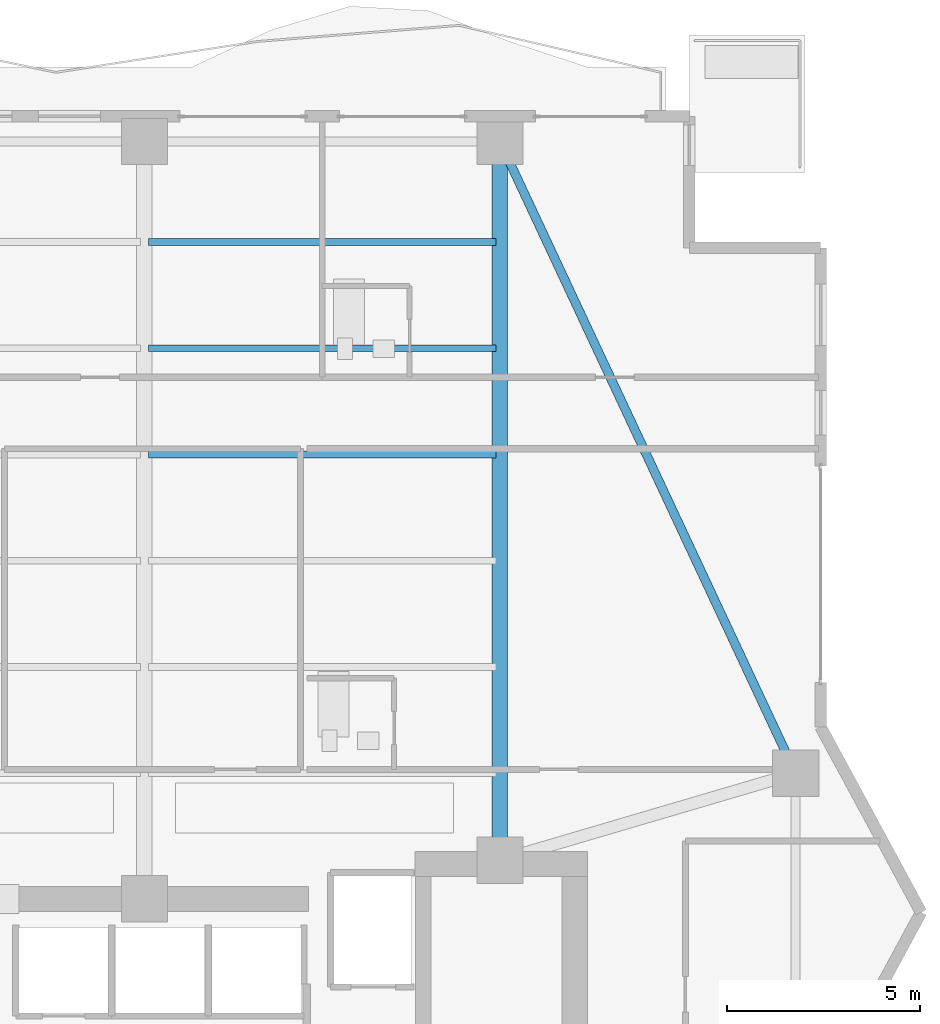
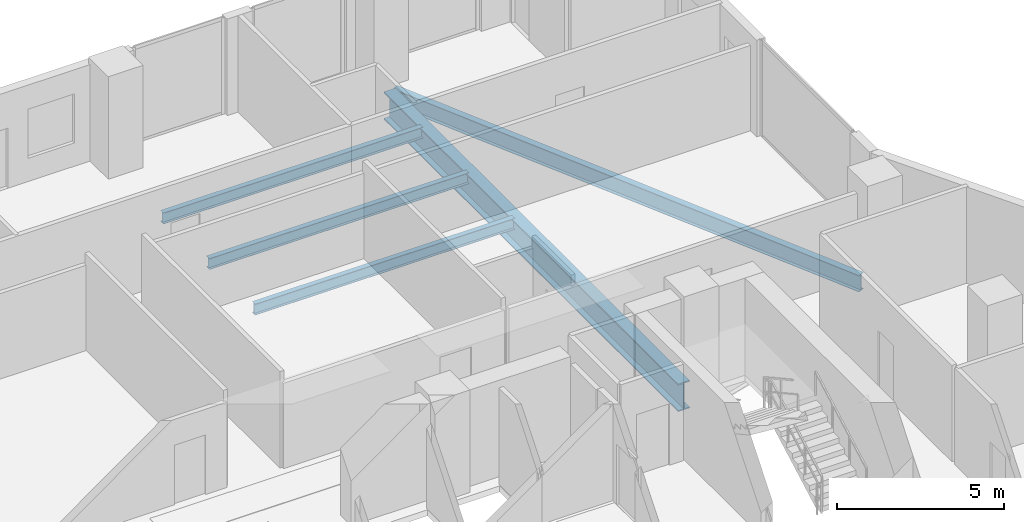
# One storey, part 21 of 32: 5 beams.
"""IFC4 building model written with IfcOpenShell, lengths in metres."""

from ifc_helpers import new_model, si_unit, direction, frame, origin, origin_2d, place, context, subcontext, project, spatial, i_section, extrude, material, material_profile, profile_set, type_object, element, save


model = new_model("IFC4")

# Units and contexts
model_context = context("Model", 3, precision=1e-05, world=origin(), true_north=direction((0.0, 1.0)))
body_context = subcontext(model_context, "Body", "Model", "MODEL_VIEW")
ifc_project = project(units=[si_unit("LENGTHUNIT", "METRE"), si_unit("AREAUNIT", "SQUARE_METRE"), si_unit("VOLUMEUNIT", "CUBIC_METRE"), si_unit("PLANEANGLEUNIT", "RADIAN"), si_unit("MASSUNIT", "GRAM", prefix="KILO")], contexts=[model_context])

# Site, building, storey
site_placement = place(None, origin())
site = spatial("IfcSite", under=ifc_project, at=site_placement, CompositionType="ELEMENT")
building_placement = place(site_placement, origin())
building = spatial("IfcBuilding", under=site, at=building_placement, Name="Zuhayl Quay Hotel", CompositionType="ELEMENT")
storey_placement = place(building_placement, frame((0.0, 0.0, 218.64990234375)))
storey = spatial("IfcBuildingStorey", under=building, at=storey_placement, Name="L55", CompositionType="ELEMENT", Elevation=218.64990234375)

# Beams
ifc_material = material(Name="Steel ASTM A992 Grade 50", Category="steel")
ifc_material_profile_1 = material_profile(ifc_material, i_section(OverallWidth=0.22802734375, OverallDepth=0.60693359375, WebThickness=0.01123046875, FlangeThickness=0.017333984375, at=origin_2d()), Name="W24X76")
ifc_profile_set_1 = profile_set([ifc_material_profile_1], Name="Steel ASTM A992 Grade 50")
beam_type_1 = type_object("IfcBeamType", Name="BM_B3_W24X76", PredefinedType="BEAM", material=ifc_profile_set_1)
beam_1_placement = place(storey_placement, frame((21.238037109375, 17.052978515625, -0.5234375), z_axis=(-0.423792164429, 0.905759461098, 0.0), x_axis=(-0.905759461098, -0.423792164429, 0.0)))
element("IfcBeam", 1, at=beam_1_placement, inside=storey, type_object=beam_type_1, Name="L55 Floor Beam RG_L55_06", PredefinedType="BEAM", context=body_context, shape_type="SweptSolid", body=[
    extrude(i_section(OverallWidth=0.22802734375, OverallDepth=0.60693359375, WebThickness=0.01123046875, FlangeThickness=0.017333984375, at=origin_2d()), origin(), (0.0, 0.0, 1.0), 17.051025390625),
])
ifc_material_profile_2 = material_profile(ifc_material, i_section(OverallWidth=0.177978515625, OverallDepth=0.406005859375, WebThickness=0.0078125, FlangeThickness=0.0126953125, at=origin_2d()), Name="W16X40")
ifc_profile_set_2 = profile_set([ifc_material_profile_2], Name="Steel ASTM A992 Grade 50")
beam_type_2 = type_object("IfcBeamType", Name="BM_J2B_W16X40", PredefinedType="JOIST", material=ifc_profile_set_2)
for number, where, z_axis, x_axis, name in (
    (2, (4.7060546875, 24.85009765625, -0.4228515625), (1.0, 0.0, 0.0), (0.0, 1.0, 0.0), "L55 Floor Beam FJ_L55_4_3"),
    (3, (4.7060546875, 27.60009765625, -0.4228515625), (1.0, 0.0, 0.0), (0.0, 1.0, 0.0), "L55 Floor Beam FJ_L55_5_3"),
    (4, (4.7060546875, 30.35009765625, -0.4228515625), (1.0, 0.0, 0.0), (0.0, 1.0, 0.0), "L55 Floor Beam FJ_L55_6_3"),
):
    element("IfcBeam", number, at=place(storey_placement, frame(where, z_axis=z_axis, x_axis=x_axis)), inside=storey, type_object=beam_type_2, Name=name, PredefinedType="JOIST", context=body_context, shape_type="SweptSolid", body=[
        extrude(i_section(OverallWidth=0.177978515625, OverallDepth=0.406005859375, WebThickness=0.0078125, FlangeThickness=0.0126953125, at=origin_2d()), origin(), (0.0, 0.0, 1.0), 8.988037109375),
    ])
ifc_material_profile_3 = material_profile(ifc_material, i_section(OverallWidth=0.40087890625, OverallDepth=1.010986328125, WebThickness=0.023681640625, FlangeThickness=0.0419921875, at=origin_2d()), Name="W40X297")
ifc_profile_set_3 = profile_set([ifc_material_profile_3], Name="Steel ASTM A992 Grade 50")
beam_type_3 = type_object("IfcBeamType", Name="BM_TG2_W40X297", PredefinedType="BEAM", material=ifc_profile_set_3)
beam_2_placement = place(storey_placement, frame((13.800048828125, 14.800048828125, -0.725341796875), z_axis=(0.0, 1.0, 0.0), x_axis=(-1.0, 0.0, 0.0)))
element("IfcBeam", 5, at=beam_2_placement, inside=storey, type_object=beam_type_3, Name="L55 Floor Beam FG_N_L55_4", PredefinedType="BEAM", context=body_context, shape_type="SweptSolid", body=[
    extrude(i_section(OverallWidth=0.40087890625, OverallDepth=1.010986328125, WebThickness=0.023681640625, FlangeThickness=0.0419921875, at=origin_2d()), origin(), (0.0, 0.0, 1.0), 17.64990234375),
])

save(model, "model.ifc")
